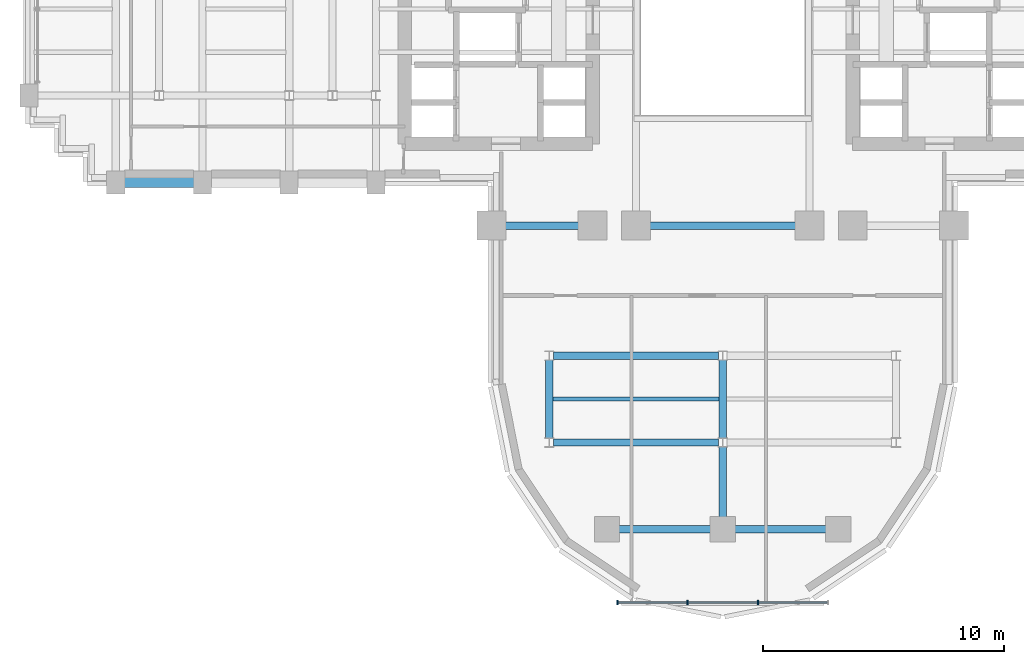
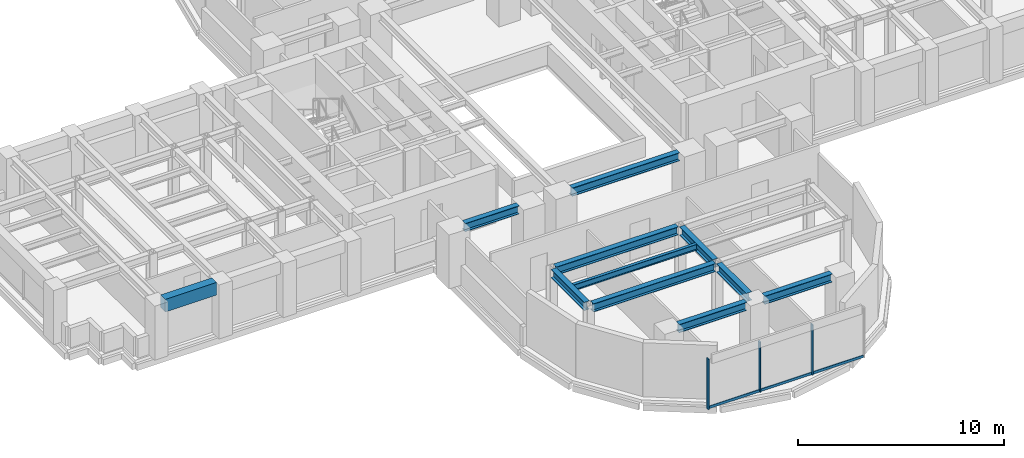
# One storey, part 3 of 16: 11 beams, 6 members, 1 element without a shape of its own.
"""IFC4 building model written with IfcOpenShell, lengths in metres."""

from ifc_helpers import new_model, si_unit, direction, frame, origin, origin_2d, place, context, subcontext, project, spatial, rectangle, i_section, extrude, source, transform, mapped, material, material_profile, profile_set, type_object, element, aggregate, save


model = new_model("IFC4")

# Units and contexts
model_context = context("Model", 3, precision=1e-05, world=origin(), true_north=direction((0.0, 1.0)))
body_context = subcontext(model_context, "Body", "Model", "MODEL_VIEW")
ifc_project = project(units=[si_unit("LENGTHUNIT", "METRE"), si_unit("AREAUNIT", "SQUARE_METRE"), si_unit("VOLUMEUNIT", "CUBIC_METRE"), si_unit("PLANEANGLEUNIT", "RADIAN"), si_unit("MASSUNIT", "GRAM", prefix="KILO")], contexts=[model_context])

# Site, building, storey
site_placement = place(None, origin())
site = spatial("IfcSite", under=ifc_project, at=site_placement, CompositionType="ELEMENT")
building_placement = place(site_placement, origin())
building = spatial("IfcBuilding", under=site, at=building_placement, Name="Keilestroom Media Tower", CompositionType="ELEMENT")
storey_placement = place(building_placement, frame((0.0, 0.0, 54.39990234375)))
storey = spatial("IfcBuildingStorey", under=building, at=storey_placement, Name="L13", CompositionType="ELEMENT", Elevation=54.39990234375)

# Beams
ifc_material_1 = material(Name="Precast concrete C40/50", Category="concrete")
ifc_material_profile_1 = material_profile(ifc_material_1, rectangle(XDim=0.449951171875, YDim=0.75, at=origin_2d()), Name="PC 450x750")
ifc_profile_set_1 = profile_set([ifc_material_profile_1], Name="Precast concrete C40/50")
beam_type_1 = type_object("IfcBeamType", Name="Perimeter-Spandrel-Beam-PC-450x750", PredefinedType="SPANDREL", material=ifc_profile_set_1)
shared_shape_1 = source(origin(), body_context, "Body", "SweptSolid", [
    extrude(rectangle(XDim=0.449951171875, YDim=0.75, at=origin_2d()), origin(), (0.0, 0.0, 1.0), 2.889892578125),
])
beam_1_placement = place(storey_placement, frame((-24.844970703125, -7.199951171875, 2.8251953125), z_axis=(1.0, 0.0, 0.0), x_axis=(0.0, 1.0, 0.0)))
element("IfcBeam", 1, at=beam_1_placement, inside=storey, type_object=beam_type_1, Name="L13 Beam SPB-1 BM-L13-EW-012", PredefinedType="SPANDREL", context=body_context, shape_type="MappedRepresentation", body=[
    mapped(shared_shape_1, transform((0.0, 0.0, 0.0), x_axis=(1.0, 0.0, 0.0), y_axis=(0.0, 1.0, 0.0), z_axis=(0.0, 0.0, 1.0), scale=1.0)),
])
ifc_material_2 = material(Name="Steel S355", Category="steel")
ifc_material_profile_2 = material_profile(ifc_material_2, i_section(OverallWidth=0.300048828125, OverallDepth=0.5, WebThickness=0.012451171875, FlangeThickness=0.028076171875, at=origin_2d()), Name="HEB 500")
ifc_profile_set_2 = profile_set([ifc_material_profile_2], Name="Steel S355")
beam_type_2 = type_object("IfcBeamType", Name="Primary-Structural-Girder-HEB-500", PredefinedType="BEAM", material=ifc_profile_set_2)
shared_shape_2 = source(origin(), body_context, "Body", "SweptSolid", [
    extrude(i_section(OverallWidth=0.300048828125, OverallDepth=0.5, WebThickness=0.012451171875, FlangeThickness=0.028076171875, at=origin_2d()), origin(), (0.0, 0.0, 1.0), 3.23291015625),
])
for number, where, z_axis, x_axis, name in (
    (2, (-7.199951171875, -17.81640625, 2.9501953125), (0.0, 1.0, 0.0), (-1.0, 0.0, 0.0), "L13 Beam BG-6 BM-L13-NS-063"),
    (3, (0.0, -17.81640625, 2.9501953125), (0.0, 1.0, 0.0), (-1.0, 0.0, 0.0), "L13 Beam BG-6 BM-L13-NS-068"),
):
    element("IfcBeam", number, at=place(storey_placement, frame(where, z_axis=z_axis, x_axis=x_axis)), inside=storey, type_object=beam_type_2, Name=name, PredefinedType="BEAM", context=body_context, shape_type="MappedRepresentation", body=[
        mapped(shared_shape_2, transform((0.0, 0.0, 0.0), x_axis=(1.0, 0.0, 0.0), y_axis=(0.0, 1.0, 0.0), z_axis=(0.0, 0.0, 1.0), scale=1.0)),
    ])
shared_shape_3 = source(origin(), body_context, "Body", "SweptSolid", [
    extrude(i_section(OverallWidth=0.300048828125, OverallDepth=0.5, WebThickness=0.012451171875, FlangeThickness=0.028076171875, at=origin_2d()), origin(), (0.0, 0.0, 1.0), 2.911376953125),
])
beam_2_placement = place(storey_placement, frame((0.0, -21.094970703125, 2.9501953125), z_axis=(0.0, 1.0, 0.0), x_axis=(-1.0, 0.0, 0.0)))
element("IfcBeam", 4, at=beam_2_placement, inside=storey, type_object=beam_type_2, Name="L13 Beam BG-6 BM-L13-NS-067", PredefinedType="BEAM", context=body_context, shape_type="MappedRepresentation", body=[
    mapped(shared_shape_3, transform((0.0, 0.0, 0.0), x_axis=(1.0, 0.0, 0.0), y_axis=(0.0, 1.0, 0.0), z_axis=(0.0, 0.0, 1.0), scale=1.0)),
])
ifc_material_profile_3 = material_profile(ifc_material_2, i_section(OverallWidth=0.300048828125, OverallDepth=0.489990234375, WebThickness=0.011962890625, FlangeThickness=0.02294921875, at=origin_2d()), Name="HEA 500")
ifc_profile_set_3 = profile_set([ifc_material_profile_3], Name="Steel S355")
beam_type_3 = type_object("IfcBeamType", Name="Primary-Structural-Girder-HEA-500", PredefinedType="BEAM", material=ifc_profile_set_3)
shared_shape_4 = source(origin(), body_context, "Body", "SweptSolid", [
    extrude(i_section(OverallWidth=0.300048828125, OverallDepth=0.489990234375, WebThickness=0.011962890625, FlangeThickness=0.02294921875, at=origin_2d()), origin(), (0.0, 0.0, 1.0), 3.7900390625),
])
for number, where, z_axis, x_axis, name in (
    (5, (-4.294921875, -21.60009765625, 2.955078125), (1.0, 0.0, 0.0), (0.0, 1.0, 0.0), "L13 Beam BG-10 BM-L13-EW-001"),
    (6, (0.5048828125, -21.60009765625, 2.955078125), (1.0, 0.0, 0.0), (0.0, 1.0, 0.0), "L13 Beam BG-10 BM-L13-EW-002"),
):
    element("IfcBeam", number, at=place(storey_placement, frame(where, z_axis=z_axis, x_axis=x_axis)), inside=storey, type_object=beam_type_3, Name=name, PredefinedType="BEAM", context=body_context, shape_type="MappedRepresentation", body=[
        mapped(shared_shape_4, transform((0.0, 0.0, 0.0), x_axis=(1.0, 0.0, 0.0), y_axis=(0.0, 1.0, 0.0), z_axis=(0.0, 0.0, 1.0), scale=1.0)),
    ])
shared_shape_5 = source(origin(), body_context, "Body", "SweptSolid", [
    extrude(i_section(OverallWidth=0.300048828125, OverallDepth=0.489990234375, WebThickness=0.011962890625, FlangeThickness=0.02294921875, at=origin_2d()), origin(), (0.0, 0.0, 1.0), 6.836181640625),
])
for number, where, z_axis, x_axis, name in (
    (7, (-7.01806640625, -18.0, 2.955078125), (1.0, 0.0, 0.0), (0.0, 1.0, 0.0), "L13 Beam BG-10 BM-L13-EW-003"),
    (8, (-7.01806640625, -14.39990234375, 2.955078125), (1.0, 0.0, 0.0), (0.0, 1.0, 0.0), "L13 Beam BG-10 BM-L13-EW-005"),
):
    element("IfcBeam", number, at=place(storey_placement, frame(where, z_axis=z_axis, x_axis=x_axis)), inside=storey, type_object=beam_type_3, Name=name, PredefinedType="BEAM", context=body_context, shape_type="MappedRepresentation", body=[
        mapped(shared_shape_5, transform((0.0, 0.0, 0.0), x_axis=(1.0, 0.0, 0.0), y_axis=(0.0, 1.0, 0.0), z_axis=(0.0, 0.0, 1.0), scale=1.0)),
    ])
shared_shape_6 = source(origin(), body_context, "Body", "SweptSolid", [
    extrude(i_section(OverallWidth=0.300048828125, OverallDepth=0.489990234375, WebThickness=0.011962890625, FlangeThickness=0.02294921875, at=origin_2d()), origin(), (0.0, 0.0, 1.0), 3.0400390625),
])
beam_3_placement = place(storey_placement, frame((-9.02001953125, -9.0, 2.955078125), z_axis=(1.0, 0.0, 0.0), x_axis=(0.0, 1.0, 0.0)))
element("IfcBeam", 9, at=beam_3_placement, inside=storey, type_object=beam_type_3, Name="L13 Beam BG-10 BM-L13-EW-007", PredefinedType="BEAM", context=body_context, shape_type="MappedRepresentation", body=[
    mapped(shared_shape_6, transform((0.0, 0.0, 0.0), x_axis=(1.0, 0.0, 0.0), y_axis=(0.0, 1.0, 0.0), z_axis=(0.0, 0.0, 1.0), scale=1.0)),
])
shared_shape_7 = source(origin(), body_context, "Body", "SweptSolid", [
    extrude(i_section(OverallWidth=0.300048828125, OverallDepth=0.489990234375, WebThickness=0.011962890625, FlangeThickness=0.02294921875, at=origin_2d()), origin(), (0.0, 0.0, 1.0), 6.0400390625),
])
beam_4_placement = place(storey_placement, frame((-3.02001953125, -9.0, 2.955078125), z_axis=(1.0, 0.0, 0.0), x_axis=(0.0, 1.0, 0.0)))
element("IfcBeam", 10, at=beam_4_placement, inside=storey, type_object=beam_type_3, Name="L13 Beam BG-10 BM-L13-EW-009", PredefinedType="BEAM", context=body_context, shape_type="MappedRepresentation", body=[
    mapped(shared_shape_7, transform((0.0, 0.0, 0.0), x_axis=(1.0, 0.0, 0.0), y_axis=(0.0, 1.0, 0.0), z_axis=(0.0, 0.0, 1.0), scale=1.0)),
])
ifc_material_profile_4 = material_profile(ifc_material_2, i_section(OverallWidth=0.169921875, OverallDepth=0.360107421875, WebThickness=0.008056640625, FlangeThickness=0.0126953125, at=origin_2d()), Name="IPE 360")
ifc_profile_set_4 = profile_set([ifc_material_profile_4], Name="Steel S355")
beam_type_4 = type_object("IfcBeamType", Name="Secondary-Floor-Joist-IPE-360", PredefinedType="JOIST", material=ifc_profile_set_4)
shared_shape_8 = source(origin(), body_context, "Body", "SweptSolid", [
    extrude(i_section(OverallWidth=0.169921875, OverallDepth=0.360107421875, WebThickness=0.008056640625, FlangeThickness=0.0126953125, at=origin_2d()), origin(), (0.0, 0.0, 1.0), 6.940185546875),
])
beam_5_placement = place(storey_placement, frame((-7.070068359375, -16.199951171875, 3.02001953125), z_axis=(1.0, 0.0, 0.0), x_axis=(0.0, 1.0, 0.0)))
element("IfcBeam", 11, at=beam_5_placement, inside=storey, type_object=beam_type_4, Name="L13 Beam BJ-5 JST-L13-087", PredefinedType="JOIST", context=body_context, shape_type="MappedRepresentation", body=[
    mapped(shared_shape_8, transform((0.0, 0.0, 0.0), x_axis=(1.0, 0.0, 0.0), y_axis=(0.0, 1.0, 0.0), z_axis=(0.0, 0.0, 1.0), scale=1.0)),
])

# Curtain wall, members
ifc_material_3 = material(Name="Anodised Aluminium Alloy", Category="aluminium")
curtain_wall_type = type_object("IfcCurtainWallType", Name="Unitised-Curtain-Wall-CW-6", PredefinedType="NOTDEFINED", material=ifc_material_3)
curtain_wall_placement = place(storey_placement, origin())
curtain_wall = element("IfcCurtainWall", 12, at=curtain_wall_placement, inside=storey, type_object=curtain_wall_type, Name="L13 Curtain Wall CW-6 CW-L13-LS-1", PredefinedType="NOTDEFINED")
ifc_material_profile_5 = material_profile(ifc_material_3, rectangle(XDim=0.06494140625, YDim=0.179931640625, at=origin_2d()), Name="ALU MULLION 65x180")
ifc_profile_set_5 = profile_set([ifc_material_profile_5], Name="Anodised Aluminium Alloy")
member_type_1 = type_object("IfcMemberType", Name="Curtain-Wall-Mullion-CW-6", PredefinedType="MULLION", material=ifc_profile_set_5)
shared_shape_9 = source(origin(), body_context, "Body", "SweptSolid", [
    extrude(rectangle(XDim=0.06494140625, YDim=0.179931640625, at=origin_2d()), origin(), (0.0, 0.0, 1.0), 2.97998046875),
])
member_1_placement = place(storey_placement, frame((-4.367431640625, -24.64990234375, 0.0), z_axis=(0.0, 0.0, 1.0), x_axis=(1.0, 0.0, 0.0)))
member_1 = element("IfcMember", 13, at=member_1_placement, type_object=member_type_1, Name="CW-6 Mullion 00", PredefinedType="MULLION", context=body_context, shape_type="MappedRepresentation", body=[
    mapped(shared_shape_9, transform((0.0, 0.0, 0.0), x_axis=(1.0, 0.0, 0.0), y_axis=(0.0, 1.0, 0.0), z_axis=(0.0, 0.0, 1.0), scale=1.0)),
])
member_2_placement = place(storey_placement, frame((-1.466796875, -24.64990234375, 0.0), z_axis=(0.0, 0.0, 1.0), x_axis=(1.0, 0.0, 0.0)))
member_2 = element("IfcMember", 14, at=member_2_placement, type_object=member_type_1, Name="CW-6 Mullion 01", PredefinedType="MULLION", context=body_context, shape_type="MappedRepresentation", body=[
    mapped(shared_shape_9, transform((0.0, 0.0, 0.0), x_axis=(1.0, 0.0, 0.0), y_axis=(0.0, 1.0, 0.0), z_axis=(0.0, 0.0, 1.0), scale=1.0)),
])
member_3_placement = place(storey_placement, frame((1.466796875, -24.64990234375, 0.0), z_axis=(0.0, 0.0, 1.0), x_axis=(1.0, 0.0, 0.0)))
member_3 = element("IfcMember", 15, at=member_3_placement, type_object=member_type_1, Name="CW-6 Mullion 02", PredefinedType="MULLION", context=body_context, shape_type="MappedRepresentation", body=[
    mapped(shared_shape_9, transform((0.0, 0.0, 0.0), x_axis=(1.0, 0.0, 0.0), y_axis=(0.0, 1.0, 0.0), z_axis=(0.0, 0.0, 1.0), scale=1.0)),
])
ifc_material_profile_6 = material_profile(ifc_material_3, rectangle(XDim=0.06494140625, YDim=0.14990234375, at=origin_2d()), Name="ALU TRANSOM 65x150")
ifc_profile_set_6 = profile_set([ifc_material_profile_6], Name="Anodised Aluminium Alloy")
member_type_2 = type_object("IfcMemberType", Name="Curtain-Wall-Transom-CW-6", PredefinedType="USERDEFINED", material=ifc_profile_set_6)
shared_shape_10 = source(origin(), body_context, "Body", "SweptSolid", [
    extrude(rectangle(XDim=0.06494140625, YDim=0.14990234375, at=origin_2d()), origin(), (0.0, 0.0, 1.0), 2.839599609375),
])
member_4_placement = place(storey_placement, frame((-4.3369140625, -24.64990234375, 0.0751953125), z_axis=(1.0, 0.0, 0.0), x_axis=(0.0, 1.0, 0.0)))
member_4 = element("IfcMember", 16, at=member_4_placement, type_object=member_type_2, Name="CW-6 Transom 00.1", ObjectType="TRANSOM", PredefinedType="USERDEFINED", context=body_context, shape_type="MappedRepresentation", body=[
    mapped(shared_shape_10, transform((0.0, 0.0, 0.0), x_axis=(1.0, 0.0, 0.0), y_axis=(0.0, 1.0, 0.0), z_axis=(0.0, 0.0, 1.0), scale=1.0)),
])
member_5_placement = place(storey_placement, frame((1.497314453125, -24.64990234375, 0.0751953125), z_axis=(1.0, 0.0, 0.0), x_axis=(0.0, 1.0, 0.0)))
member_5 = element("IfcMember", 17, at=member_5_placement, type_object=member_type_2, Name="CW-6 Transom 02.1", ObjectType="TRANSOM", PredefinedType="USERDEFINED", context=body_context, shape_type="MappedRepresentation", body=[
    mapped(shared_shape_10, transform((0.0, 0.0, 0.0), x_axis=(1.0, 0.0, 0.0), y_axis=(0.0, 1.0, 0.0), z_axis=(0.0, 0.0, 1.0), scale=1.0)),
])
shared_shape_11 = source(origin(), body_context, "Body", "SweptSolid", [
    extrude(rectangle(XDim=0.06494140625, YDim=0.14990234375, at=origin_2d()), origin(), (0.0, 0.0, 1.0), 2.87255859375),
])
member_6_placement = place(storey_placement, frame((-1.436279296875, -24.64990234375, 0.0751953125), z_axis=(1.0, 0.0, 0.0), x_axis=(0.0, 1.0, 0.0)))
member_6 = element("IfcMember", 18, at=member_6_placement, type_object=member_type_2, Name="CW-6 Transom 01.1", ObjectType="TRANSOM", PredefinedType="USERDEFINED", context=body_context, shape_type="MappedRepresentation", body=[
    mapped(shared_shape_11, transform((0.0, 0.0, 0.0), x_axis=(1.0, 0.0, 0.0), y_axis=(0.0, 1.0, 0.0), z_axis=(0.0, 0.0, 1.0), scale=1.0)),
])
aggregate(curtain_wall, [member_1, member_2, member_3, member_4, member_6, member_5])

save(model, "model.ifc")
